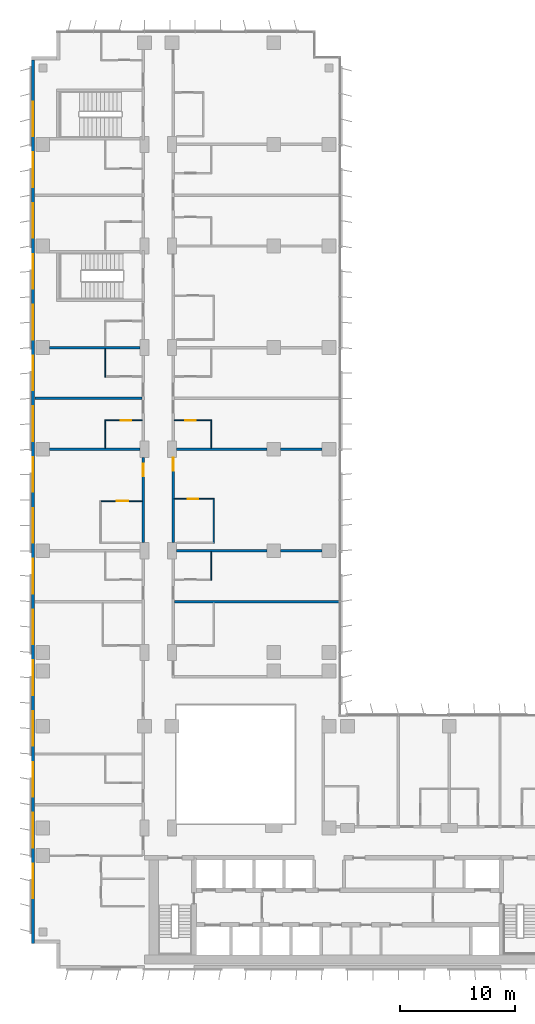
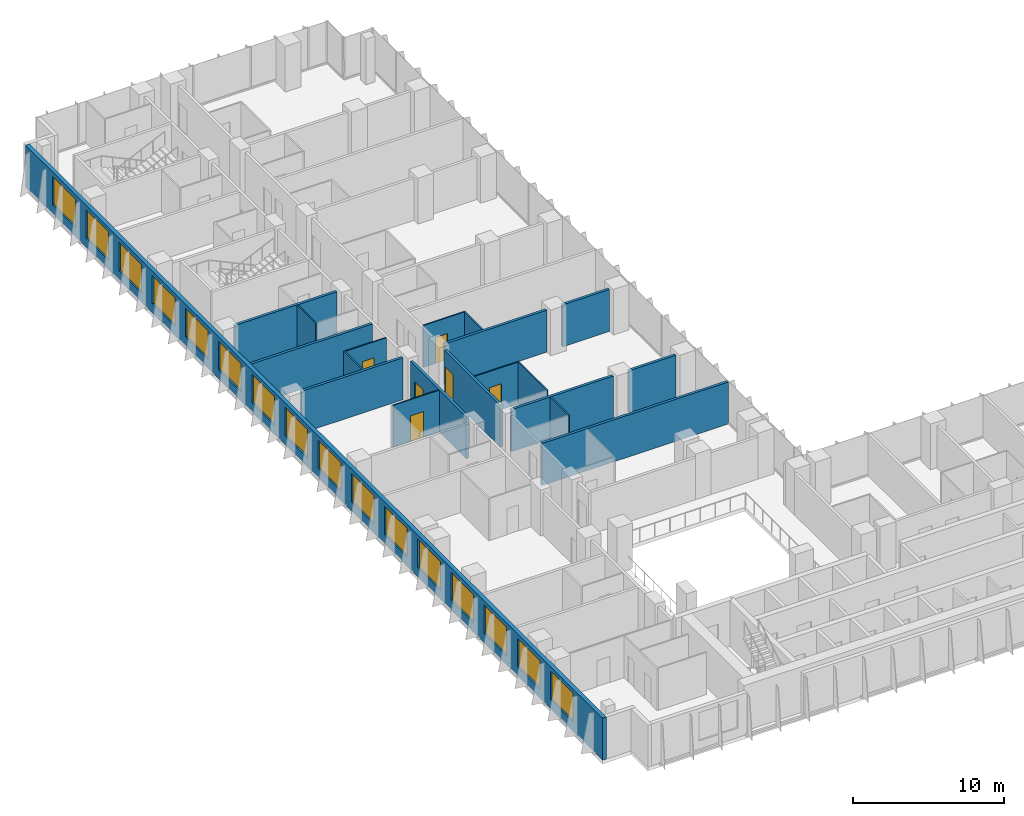
# One storey, part 16 of 23: 20 walls, 16 windows, 6 doors, 22 openings.
"""IFC4 building model written with IfcOpenShell, lengths in metres."""

from ifc_helpers import new_model, si_unit, direction, frame, frame_2d, origin, place, context, subcontext, project, spatial, rectangle, extrude, material, layer, layer_set, type_object, element, fill, save


model = new_model("IFC4")

# Units and contexts
model_context = context("Model", 3, precision=1e-05, world=origin(), true_north=direction((0.0, 1.0)))
body_context = subcontext(model_context, "Body", "Model", "MODEL_VIEW")
ifc_project = project(units=[si_unit("LENGTHUNIT", "METRE"), si_unit("AREAUNIT", "SQUARE_METRE"), si_unit("VOLUMEUNIT", "CUBIC_METRE"), si_unit("PLANEANGLEUNIT", "RADIAN"), si_unit("MASSUNIT", "GRAM", prefix="KILO")], contexts=[model_context])

# Site, building, storey
site_placement = place(None, origin())
site = spatial("IfcSite", under=ifc_project, at=site_placement, CompositionType="ELEMENT")
building_placement = place(site_placement, origin())
building = spatial("IfcBuilding", under=site, at=building_placement, Name="Kemantara Hotel Tower", CompositionType="ELEMENT")
storey_placement = place(building_placement, frame((0.0, 0.0, 118.5)))
storey = spatial("IfcBuildingStorey", under=building, at=storey_placement, Name="L28", CompositionType="ELEMENT", Elevation=118.5)

# Wall, openings, windows
ifc_material_1 = material(Name="Bronze anodised aluminium cladding on insulated steel stud wall", Category="steel")
ifc_layer_1 = layer(ifc_material_1, 0.300048828125)
ifc_layer_set_1 = layer_set([ifc_layer_1], Name="Bronze anodised aluminium cladding on insulated steel stud wall")
wall_type_1 = type_object("IfcWallType", Name="BRONZE METAL-CLAD EXTERNAL WALL 300", PredefinedType="STANDARD", material=ifc_layer_set_1)
wall_1_placement = place(storey_placement, frame((0.14990234375, 78.699951171875, 0.0), z_axis=(0.0, 0.0, 1.0), x_axis=(0.0, -1.0, 0.0)))
wall_1 = element("IfcWall", 1, at=wall_1_placement, inside=storey, type_object=wall_type_1, Name="EXTERNAL WALL L28 T2-R04", PredefinedType="STANDARD", context=body_context, shape_type="SweptSolid", body=[
    extrude(rectangle(XDim=76.5, YDim=0.300048828125, at=frame_2d((38.25, 0.0))), origin(), (0.0, 0.0, 1.0), 3.39990234375),
])
opening_1_placement = place(wall_1_placement, frame((3.60009765625, 0.0, 0.75)))
opening_1 = element("IfcOpeningElement", 2, at=opening_1_placement, cuts=wall_1, Name="Opening W1", PredefinedType="OPENING", context=body_context, shape_type="SweptSolid", body=[
    extrude(rectangle(XDim=3.0, YDim=2.300048828125, at=frame_2d((1.5, 1.14990234375))), frame((0.0, 0.159912109375, 0.0), z_axis=(0.0, -1.0, 0.0), x_axis=(1.0, 0.0, 0.0)), (0.0, 0.0, 1.0), 0.320068359375),
])
opening_2_placement = place(wall_1_placement, frame((8.0, 0.0, 0.75)))
opening_2 = element("IfcOpeningElement", 3, at=opening_2_placement, cuts=wall_1, Name="Opening W1", PredefinedType="OPENING", context=body_context, shape_type="SweptSolid", body=[
    extrude(rectangle(XDim=3.0, YDim=2.300048828125, at=frame_2d((1.5, 1.14990234375))), frame((0.0, 0.159912109375, 0.0), z_axis=(0.0, -1.0, 0.0), x_axis=(1.0, 0.0, 0.0)), (0.0, 0.0, 1.0), 0.320068359375),
])
opening_3_placement = place(wall_1_placement, frame((12.39990234375, 0.0, 0.75)))
opening_3 = element("IfcOpeningElement", 4, at=opening_3_placement, cuts=wall_1, Name="Opening W1", PredefinedType="OPENING", context=body_context, shape_type="SweptSolid", body=[
    extrude(rectangle(XDim=3.0, YDim=2.300048828125, at=frame_2d((1.5, 1.14990234375))), frame((0.0, 0.159912109375, 0.0), z_axis=(0.0, -1.0, 0.0), x_axis=(1.0, 0.0, 0.0)), (0.0, 0.0, 1.0), 0.320068359375),
])
opening_4_placement = place(wall_1_placement, frame((16.800048828125, 0.0, 0.75)))
opening_4 = element("IfcOpeningElement", 5, at=opening_4_placement, cuts=wall_1, Name="Opening W1", PredefinedType="OPENING", context=body_context, shape_type="SweptSolid", body=[
    extrude(rectangle(XDim=3.0, YDim=2.300048828125, at=frame_2d((1.5, 1.14990234375))), frame((0.0, 0.159912109375, 0.0), z_axis=(0.0, -1.0, 0.0), x_axis=(1.0, 0.0, 0.0)), (0.0, 0.0, 1.0), 0.320068359375),
])
opening_5_placement = place(wall_1_placement, frame((21.199951171875, 0.0, 0.75)))
opening_5 = element("IfcOpeningElement", 6, at=opening_5_placement, cuts=wall_1, Name="Opening W1", PredefinedType="OPENING", context=body_context, shape_type="SweptSolid", body=[
    extrude(rectangle(XDim=3.0, YDim=2.300048828125, at=frame_2d((1.5, 1.14990234375))), frame((0.0, 0.159912109375, 0.0), z_axis=(0.0, -1.0, 0.0), x_axis=(1.0, 0.0, 0.0)), (0.0, 0.0, 1.0), 0.320068359375),
])
opening_6_placement = place(wall_1_placement, frame((25.60009765625, 0.0, 0.75)))
opening_6 = element("IfcOpeningElement", 7, at=opening_6_placement, cuts=wall_1, Name="Opening W1", PredefinedType="OPENING", context=body_context, shape_type="SweptSolid", body=[
    extrude(rectangle(XDim=3.0, YDim=2.300048828125, at=frame_2d((1.5, 1.14990234375))), frame((0.0, 0.159912109375, 0.0), z_axis=(0.0, -1.0, 0.0), x_axis=(1.0, 0.0, 0.0)), (0.0, 0.0, 1.0), 0.320068359375),
])
opening_7_placement = place(wall_1_placement, frame((30.0, 0.0, 0.75)))
opening_7 = element("IfcOpeningElement", 8, at=opening_7_placement, cuts=wall_1, Name="Opening W1", PredefinedType="OPENING", context=body_context, shape_type="SweptSolid", body=[
    extrude(rectangle(XDim=3.0, YDim=2.300048828125, at=frame_2d((1.5, 1.14990234375))), frame((0.0, 0.159912109375, 0.0), z_axis=(0.0, -1.0, 0.0), x_axis=(1.0, 0.0, 0.0)), (0.0, 0.0, 1.0), 0.320068359375),
])
opening_8_placement = place(wall_1_placement, frame((34.39990234375, 0.0, 0.75)))
opening_8 = element("IfcOpeningElement", 9, at=opening_8_placement, cuts=wall_1, Name="Opening W1", PredefinedType="OPENING", context=body_context, shape_type="SweptSolid", body=[
    extrude(rectangle(XDim=3.0, YDim=2.300048828125, at=frame_2d((1.5, 1.14990234375))), frame((0.0, 0.159912109375, 0.0), z_axis=(0.0, -1.0, 0.0), x_axis=(1.0, 0.0, 0.0)), (0.0, 0.0, 1.0), 0.320068359375),
])
opening_9_placement = place(wall_1_placement, frame((38.800048828125, 0.0, 0.75)))
opening_9 = element("IfcOpeningElement", 10, at=opening_9_placement, cuts=wall_1, Name="Opening W1", PredefinedType="OPENING", context=body_context, shape_type="SweptSolid", body=[
    extrude(rectangle(XDim=3.0, YDim=2.300048828125, at=frame_2d((1.5, 1.14990234375))), frame((0.0, 0.159912109375, 0.0), z_axis=(0.0, -1.0, 0.0), x_axis=(1.0, 0.0, 0.0)), (0.0, 0.0, 1.0), 0.320068359375),
])
opening_10_placement = place(wall_1_placement, frame((43.199951171875, 0.0, 0.75)))
opening_10 = element("IfcOpeningElement", 11, at=opening_10_placement, cuts=wall_1, Name="Opening W1", PredefinedType="OPENING", context=body_context, shape_type="SweptSolid", body=[
    extrude(rectangle(XDim=3.0, YDim=2.300048828125, at=frame_2d((1.5, 1.14990234375))), frame((0.0, 0.159912109375, 0.0), z_axis=(0.0, -1.0, 0.0), x_axis=(1.0, 0.0, 0.0)), (0.0, 0.0, 1.0), 0.320068359375),
])
opening_11_placement = place(wall_1_placement, frame((47.60009765625, 0.0, 0.75)))
opening_11 = element("IfcOpeningElement", 12, at=opening_11_placement, cuts=wall_1, Name="Opening W1", PredefinedType="OPENING", context=body_context, shape_type="SweptSolid", body=[
    extrude(rectangle(XDim=3.0, YDim=2.300048828125, at=frame_2d((1.5, 1.14990234375))), frame((0.0, 0.159912109375, 0.0), z_axis=(0.0, -1.0, 0.0), x_axis=(1.0, 0.0, 0.0)), (0.0, 0.0, 1.0), 0.320068359375),
])
opening_12_placement = place(wall_1_placement, frame((52.0, 0.0, 0.75)))
opening_12 = element("IfcOpeningElement", 13, at=opening_12_placement, cuts=wall_1, Name="Opening W1", PredefinedType="OPENING", context=body_context, shape_type="SweptSolid", body=[
    extrude(rectangle(XDim=3.0, YDim=2.300048828125, at=frame_2d((1.5, 1.14990234375))), frame((0.0, 0.159912109375, 0.0), z_axis=(0.0, -1.0, 0.0), x_axis=(1.0, 0.0, 0.0)), (0.0, 0.0, 1.0), 0.320068359375),
])
opening_13_placement = place(wall_1_placement, frame((56.39990234375, 0.0, 0.75)))
opening_13 = element("IfcOpeningElement", 14, at=opening_13_placement, cuts=wall_1, Name="Opening W1", PredefinedType="OPENING", context=body_context, shape_type="SweptSolid", body=[
    extrude(rectangle(XDim=3.0, YDim=2.300048828125, at=frame_2d((1.5, 1.14990234375))), frame((0.0, 0.159912109375, 0.0), z_axis=(0.0, -1.0, 0.0), x_axis=(1.0, 0.0, 0.0)), (0.0, 0.0, 1.0), 0.320068359375),
])
opening_14_placement = place(wall_1_placement, frame((60.800048828125, 0.0, 0.75)))
opening_14 = element("IfcOpeningElement", 15, at=opening_14_placement, cuts=wall_1, Name="Opening W1", PredefinedType="OPENING", context=body_context, shape_type="SweptSolid", body=[
    extrude(rectangle(XDim=3.0, YDim=2.300048828125, at=frame_2d((1.5, 1.14990234375))), frame((0.0, 0.159912109375, 0.0), z_axis=(0.0, -1.0, 0.0), x_axis=(1.0, 0.0, 0.0)), (0.0, 0.0, 1.0), 0.320068359375),
])
opening_15_placement = place(wall_1_placement, frame((65.199951171875, 0.0, 0.75)))
opening_15 = element("IfcOpeningElement", 16, at=opening_15_placement, cuts=wall_1, Name="Opening W1", PredefinedType="OPENING", context=body_context, shape_type="SweptSolid", body=[
    extrude(rectangle(XDim=3.0, YDim=2.300048828125, at=frame_2d((1.5, 1.14990234375))), frame((0.0, 0.159912109375, 0.0), z_axis=(0.0, -1.0, 0.0), x_axis=(1.0, 0.0, 0.0)), (0.0, 0.0, 1.0), 0.320068359375),
])
opening_16_placement = place(wall_1_placement, frame((69.60009765625, 0.0, 0.75)))
opening_16 = element("IfcOpeningElement", 17, at=opening_16_placement, cuts=wall_1, Name="Opening W1", PredefinedType="OPENING", context=body_context, shape_type="SweptSolid", body=[
    extrude(rectangle(XDim=3.0, YDim=2.300048828125, at=frame_2d((1.5, 1.14990234375))), frame((0.0, 0.159912109375, 0.0), z_axis=(0.0, -1.0, 0.0), x_axis=(1.0, 0.0, 0.0)), (0.0, 0.0, 1.0), 0.320068359375),
])
ifc_material_2 = material(Name="Low-E tinted double insulated glass in bronze anodised aluminium frame", Category="aluminium")
window_type = type_object("IfcWindowType", Name="CHICAGO WINDOW, TRIPLE PANEL 3000x2300", PartitioningType="TRIPLE_PANEL_VERTICAL", PredefinedType="WINDOW", material=ifc_material_2)
window_1_placement = place(opening_1_placement, origin())
window_1 = element("IfcWindow", 18, at=window_1_placement, inside=storey, type_object=window_type, Name="CHICAGO WINDOW L28 T2-R04-54", OverallHeight=2.300048828125, OverallWidth=3.0, PartitioningType="SINGLE_PANEL", PredefinedType="WINDOW", context=body_context, shape_type="SweptSolid", body=[
    extrude(rectangle(XDim=3.0, YDim=2.300048828125, at=frame_2d((1.5, 1.14990234375))), frame((0.0, 0.030029296875, 0.0), z_axis=(0.0, -1.0, 0.0), x_axis=(1.0, 0.0, 0.0)), (0.0, 0.0, 1.0), 0.06005859375),
])
fill(opening_1, window_1)
window_2_placement = place(opening_2_placement, origin())
window_2 = element("IfcWindow", 19, at=window_2_placement, inside=storey, type_object=window_type, Name="CHICAGO WINDOW L28 T2-R04-98", OverallHeight=2.300048828125, OverallWidth=3.0, PartitioningType="SINGLE_PANEL", PredefinedType="WINDOW", context=body_context, shape_type="SweptSolid", body=[
    extrude(rectangle(XDim=3.0, YDim=2.300048828125, at=frame_2d((1.5, 1.14990234375))), frame((0.0, 0.030029296875, 0.0), z_axis=(0.0, -1.0, 0.0), x_axis=(1.0, 0.0, 0.0)), (0.0, 0.0, 1.0), 0.06005859375),
])
fill(opening_2, window_2)
window_3_placement = place(opening_3_placement, origin())
window_3 = element("IfcWindow", 20, at=window_3_placement, inside=storey, type_object=window_type, Name="CHICAGO WINDOW L28 T2-R04-142", OverallHeight=2.300048828125, OverallWidth=3.0, PartitioningType="SINGLE_PANEL", PredefinedType="WINDOW", context=body_context, shape_type="SweptSolid", body=[
    extrude(rectangle(XDim=3.0, YDim=2.300048828125, at=frame_2d((1.5, 1.14990234375))), frame((0.0, 0.030029296875, 0.0), z_axis=(0.0, -1.0, 0.0), x_axis=(1.0, 0.0, 0.0)), (0.0, 0.0, 1.0), 0.06005859375),
])
fill(opening_3, window_3)
window_4_placement = place(opening_4_placement, origin())
window_4 = element("IfcWindow", 21, at=window_4_placement, inside=storey, type_object=window_type, Name="CHICAGO WINDOW L28 T2-R04-186", OverallHeight=2.300048828125, OverallWidth=3.0, PartitioningType="SINGLE_PANEL", PredefinedType="WINDOW", context=body_context, shape_type="SweptSolid", body=[
    extrude(rectangle(XDim=3.0, YDim=2.300048828125, at=frame_2d((1.5, 1.14990234375))), frame((0.0, 0.030029296875, 0.0), z_axis=(0.0, -1.0, 0.0), x_axis=(1.0, 0.0, 0.0)), (0.0, 0.0, 1.0), 0.06005859375),
])
fill(opening_4, window_4)
window_5_placement = place(opening_5_placement, origin())
window_5 = element("IfcWindow", 22, at=window_5_placement, inside=storey, type_object=window_type, Name="CHICAGO WINDOW L28 T2-R04-230", OverallHeight=2.300048828125, OverallWidth=3.0, PartitioningType="SINGLE_PANEL", PredefinedType="WINDOW", context=body_context, shape_type="SweptSolid", body=[
    extrude(rectangle(XDim=3.0, YDim=2.300048828125, at=frame_2d((1.5, 1.14990234375))), frame((0.0, 0.030029296875, 0.0), z_axis=(0.0, -1.0, 0.0), x_axis=(1.0, 0.0, 0.0)), (0.0, 0.0, 1.0), 0.06005859375),
])
fill(opening_5, window_5)
window_6_placement = place(opening_6_placement, origin())
window_6 = element("IfcWindow", 23, at=window_6_placement, inside=storey, type_object=window_type, Name="CHICAGO WINDOW L28 T2-R04-274", OverallHeight=2.300048828125, OverallWidth=3.0, PartitioningType="SINGLE_PANEL", PredefinedType="WINDOW", context=body_context, shape_type="SweptSolid", body=[
    extrude(rectangle(XDim=3.0, YDim=2.300048828125, at=frame_2d((1.5, 1.14990234375))), frame((0.0, 0.030029296875, 0.0), z_axis=(0.0, -1.0, 0.0), x_axis=(1.0, 0.0, 0.0)), (0.0, 0.0, 1.0), 0.06005859375),
])
fill(opening_6, window_6)
window_7_placement = place(opening_7_placement, origin())
window_7 = element("IfcWindow", 24, at=window_7_placement, inside=storey, type_object=window_type, Name="CHICAGO WINDOW L28 T2-R04-318", OverallHeight=2.300048828125, OverallWidth=3.0, PartitioningType="SINGLE_PANEL", PredefinedType="WINDOW", context=body_context, shape_type="SweptSolid", body=[
    extrude(rectangle(XDim=3.0, YDim=2.300048828125, at=frame_2d((1.5, 1.14990234375))), frame((0.0, 0.030029296875, 0.0), z_axis=(0.0, -1.0, 0.0), x_axis=(1.0, 0.0, 0.0)), (0.0, 0.0, 1.0), 0.06005859375),
])
fill(opening_7, window_7)
window_8_placement = place(opening_8_placement, origin())
window_8 = element("IfcWindow", 25, at=window_8_placement, inside=storey, type_object=window_type, Name="CHICAGO WINDOW L28 T2-R04-362", OverallHeight=2.300048828125, OverallWidth=3.0, PartitioningType="SINGLE_PANEL", PredefinedType="WINDOW", context=body_context, shape_type="SweptSolid", body=[
    extrude(rectangle(XDim=3.0, YDim=2.300048828125, at=frame_2d((1.5, 1.14990234375))), frame((0.0, 0.030029296875, 0.0), z_axis=(0.0, -1.0, 0.0), x_axis=(1.0, 0.0, 0.0)), (0.0, 0.0, 1.0), 0.06005859375),
])
fill(opening_8, window_8)
window_9_placement = place(opening_9_placement, origin())
window_9 = element("IfcWindow", 26, at=window_9_placement, inside=storey, type_object=window_type, Name="CHICAGO WINDOW L28 T2-R04-406", OverallHeight=2.300048828125, OverallWidth=3.0, PartitioningType="SINGLE_PANEL", PredefinedType="WINDOW", context=body_context, shape_type="SweptSolid", body=[
    extrude(rectangle(XDim=3.0, YDim=2.300048828125, at=frame_2d((1.5, 1.14990234375))), frame((0.0, 0.030029296875, 0.0), z_axis=(0.0, -1.0, 0.0), x_axis=(1.0, 0.0, 0.0)), (0.0, 0.0, 1.0), 0.06005859375),
])
fill(opening_9, window_9)
window_10_placement = place(opening_10_placement, origin())
window_10 = element("IfcWindow", 27, at=window_10_placement, inside=storey, type_object=window_type, Name="CHICAGO WINDOW L28 T2-R04-450", OverallHeight=2.300048828125, OverallWidth=3.0, PartitioningType="SINGLE_PANEL", PredefinedType="WINDOW", context=body_context, shape_type="SweptSolid", body=[
    extrude(rectangle(XDim=3.0, YDim=2.300048828125, at=frame_2d((1.5, 1.14990234375))), frame((0.0, 0.030029296875, 0.0), z_axis=(0.0, -1.0, 0.0), x_axis=(1.0, 0.0, 0.0)), (0.0, 0.0, 1.0), 0.06005859375),
])
fill(opening_10, window_10)
window_11_placement = place(opening_11_placement, origin())
window_11 = element("IfcWindow", 28, at=window_11_placement, inside=storey, type_object=window_type, Name="CHICAGO WINDOW L28 T2-R04-494", OverallHeight=2.300048828125, OverallWidth=3.0, PartitioningType="SINGLE_PANEL", PredefinedType="WINDOW", context=body_context, shape_type="SweptSolid", body=[
    extrude(rectangle(XDim=3.0, YDim=2.300048828125, at=frame_2d((1.5, 1.14990234375))), frame((0.0, 0.030029296875, 0.0), z_axis=(0.0, -1.0, 0.0), x_axis=(1.0, 0.0, 0.0)), (0.0, 0.0, 1.0), 0.06005859375),
])
fill(opening_11, window_11)
window_12_placement = place(opening_12_placement, origin())
window_12 = element("IfcWindow", 29, at=window_12_placement, inside=storey, type_object=window_type, Name="CHICAGO WINDOW L28 T2-R04-538", OverallHeight=2.300048828125, OverallWidth=3.0, PartitioningType="SINGLE_PANEL", PredefinedType="WINDOW", context=body_context, shape_type="SweptSolid", body=[
    extrude(rectangle(XDim=3.0, YDim=2.300048828125, at=frame_2d((1.5, 1.14990234375))), frame((0.0, 0.030029296875, 0.0), z_axis=(0.0, -1.0, 0.0), x_axis=(1.0, 0.0, 0.0)), (0.0, 0.0, 1.0), 0.06005859375),
])
fill(opening_12, window_12)
window_13_placement = place(opening_13_placement, origin())
window_13 = element("IfcWindow", 30, at=window_13_placement, inside=storey, type_object=window_type, Name="CHICAGO WINDOW L28 T2-R04-582", OverallHeight=2.300048828125, OverallWidth=3.0, PartitioningType="SINGLE_PANEL", PredefinedType="WINDOW", context=body_context, shape_type="SweptSolid", body=[
    extrude(rectangle(XDim=3.0, YDim=2.300048828125, at=frame_2d((1.5, 1.14990234375))), frame((0.0, 0.030029296875, 0.0), z_axis=(0.0, -1.0, 0.0), x_axis=(1.0, 0.0, 0.0)), (0.0, 0.0, 1.0), 0.06005859375),
])
fill(opening_13, window_13)
window_14_placement = place(opening_14_placement, origin())
window_14 = element("IfcWindow", 31, at=window_14_placement, inside=storey, type_object=window_type, Name="CHICAGO WINDOW L28 T2-R04-626", OverallHeight=2.300048828125, OverallWidth=3.0, PartitioningType="SINGLE_PANEL", PredefinedType="WINDOW", context=body_context, shape_type="SweptSolid", body=[
    extrude(rectangle(XDim=3.0, YDim=2.300048828125, at=frame_2d((1.5, 1.14990234375))), frame((0.0, 0.030029296875, 0.0), z_axis=(0.0, -1.0, 0.0), x_axis=(1.0, 0.0, 0.0)), (0.0, 0.0, 1.0), 0.06005859375),
])
fill(opening_14, window_14)
window_15_placement = place(opening_15_placement, origin())
window_15 = element("IfcWindow", 32, at=window_15_placement, inside=storey, type_object=window_type, Name="CHICAGO WINDOW L28 T2-R04-670", OverallHeight=2.300048828125, OverallWidth=3.0, PartitioningType="SINGLE_PANEL", PredefinedType="WINDOW", context=body_context, shape_type="SweptSolid", body=[
    extrude(rectangle(XDim=3.0, YDim=2.300048828125, at=frame_2d((1.5, 1.14990234375))), frame((0.0, 0.030029296875, 0.0), z_axis=(0.0, -1.0, 0.0), x_axis=(1.0, 0.0, 0.0)), (0.0, 0.0, 1.0), 0.06005859375),
])
fill(opening_15, window_15)
window_16_placement = place(opening_16_placement, origin())
window_16 = element("IfcWindow", 33, at=window_16_placement, inside=storey, type_object=window_type, Name="CHICAGO WINDOW L28 T2-R04-714", OverallHeight=2.300048828125, OverallWidth=3.0, PartitioningType="SINGLE_PANEL", PredefinedType="WINDOW", context=body_context, shape_type="SweptSolid", body=[
    extrude(rectangle(XDim=3.0, YDim=2.300048828125, at=frame_2d((1.5, 1.14990234375))), frame((0.0, 0.030029296875, 0.0), z_axis=(0.0, -1.0, 0.0), x_axis=(1.0, 0.0, 0.0)), (0.0, 0.0, 1.0), 0.06005859375),
])
fill(opening_16, window_16)

# Wall, opening, door
ifc_material_3 = material(Name="Gypsum board partition, steel studs and mineral wool, 200 mm", Category="steel")
ifc_layer_2 = layer(ifc_material_3, 0.199951171875)
ifc_layer_set_2 = layer_set([ifc_layer_2], Name="Gypsum board partition, steel studs and mineral wool, 200 mm")
wall_type_2 = type_object("IfcWallType", Name="CORRIDOR WALL 200", PredefinedType="PARTITIONING", material=ifc_layer_set_2)
wall_2_placement = place(storey_placement, frame((9.699951171875, 36.900146484375, 0.0), z_axis=(0.0, 0.0, 1.0), x_axis=(0.0, 1.0, 0.0)))
wall_2 = element("IfcWall", 34, at=wall_2_placement, inside=storey, type_object=wall_type_2, Name="CORRIDOR WALL 200 022", PredefinedType="PARTITIONING", context=body_context, shape_type="SweptSolid", body=[
    extrude(rectangle(XDim=7.399658203125, YDim=0.199951171875, at=frame_2d((3.69970703125, 0.0))), origin(), (0.0, 0.0, 1.0), 3.39990234375),
])
opening_17_placement = place(wall_2_placement, frame((5.75, 0.0, 0.0)))
opening_17 = element("IfcOpeningElement", 35, at=opening_17_placement, cuts=wall_2, Name="Opening F12-031", PredefinedType="OPENING", context=body_context, shape_type="SweptSolid", body=[
    extrude(rectangle(XDim=1.10009765625, YDim=2.10009765625, at=frame_2d((0.550048828125, 1.050048828125))), frame((0.0, 0.10986328125, 0.0), z_axis=(0.0, -1.0, 0.0), x_axis=(1.0, 0.0, 0.0)), (0.0, 0.0, 1.0), 0.219970703125),
])
ifc_material_4 = material(Name="Hardwood veneer door leaf with steel frame", Category="steel")
door_type_1 = type_object("IfcDoorType", Name="GUEST ROOM DOOR 1100 X 2100 FD30S", OperationType="NOTDEFINED", PredefinedType="DOOR", material=ifc_material_4)
door_1_placement = place(opening_17_placement, origin())
door_1 = element("IfcDoor", 36, at=door_1_placement, inside=storey, type_object=door_type_1, Name="GUEST ROOM DOOR F12-031", OperationType="SINGLE_SWING_RIGHT", OverallHeight=2.10009765625, OverallWidth=1.10009765625, PredefinedType="DOOR", context=body_context, shape_type="SweptSolid", body=[
    extrude(rectangle(XDim=1.10009765625, YDim=2.10009765625, at=frame_2d((0.550048828125, 1.050048828125))), frame((0.0, 0.02490234375, 0.0), z_axis=(0.0, -1.0, 0.0), x_axis=(1.0, 0.0, 0.0)), (0.0, 0.0, 1.0), 0.050048828125),
])
fill(opening_17, door_1)

wall_3_placement = place(storey_placement, frame((12.300048828125, 44.2998046875, 0.0), z_axis=(0.0, 0.0, 1.0), x_axis=(0.0, -1.0, 0.0)))
wall_3 = element("IfcWall", 37, at=wall_3_placement, inside=storey, type_object=wall_type_2, Name="CORRIDOR WALL 200 046", PredefinedType="PARTITIONING", context=body_context, shape_type="SweptSolid", body=[
    extrude(rectangle(XDim=7.399658203125, YDim=0.199951171875, at=frame_2d((3.69970703125, 0.0))), origin(), (0.0, 0.0, 1.0), 3.39990234375),
])
opening_18_placement = place(wall_3_placement, frame((0.0498046875, 0.0, 0.0)))
opening_18 = element("IfcOpeningElement", 38, at=opening_18_placement, cuts=wall_3, Name="Opening F12-049", PredefinedType="OPENING", context=body_context, shape_type="SweptSolid", body=[
    extrude(rectangle(XDim=1.10009765625, YDim=2.10009765625, at=frame_2d((0.550048828125, 1.050048828125))), frame((0.0, 0.10986328125, 0.0), z_axis=(0.0, -1.0, 0.0), x_axis=(1.0, 0.0, 0.0)), (0.0, 0.0, 1.0), 0.219970703125),
])
door_type_2 = type_object("IfcDoorType", Name="SUITE ENTRANCE DOOR 1100 X 2100 FD30S", OperationType="NOTDEFINED", PredefinedType="DOOR", material=ifc_material_4)
door_2_placement = place(opening_18_placement, origin())
door_2 = element("IfcDoor", 39, at=door_2_placement, inside=storey, type_object=door_type_2, Name="SUITE ENTRANCE DOOR F12-049", OperationType="SINGLE_SWING_LEFT", OverallHeight=2.10009765625, OverallWidth=1.10009765625, PredefinedType="DOOR", context=body_context, shape_type="SweptSolid", body=[
    extrude(rectangle(XDim=1.10009765625, YDim=2.10009765625, at=frame_2d((0.550048828125, 1.050048828125))), frame((0.0, 0.02490234375, 0.0), z_axis=(0.0, -1.0, 0.0), x_axis=(1.0, 0.0, 0.0)), (0.0, 0.0, 1.0), 0.050048828125),
])
fill(opening_18, door_2)

# Walls
ifc_layer_3 = layer(ifc_material_3, 0.199951171875)
ifc_layer_set_3 = layer_set([ifc_layer_3], Name="Gypsum board partition, steel studs and mineral wool, 200 mm")
wall_type_3 = type_object("IfcWallType", Name="GUEST ROOM PARTY WALL 200", PredefinedType="PARTITIONING", material=ifc_layer_set_3)
wall_4_placement = place(storey_placement, frame((12.39990234375, 31.800048828125, 0.0), z_axis=(0.0, 0.0, 1.0), x_axis=(1.0, 0.0, 0.0)))
element("IfcWall", 40, at=wall_4_placement, inside=storey, type_object=wall_type_3, Name="GUEST ROOM PARTY WALL 200 030", PredefinedType="PARTITIONING", context=body_context, shape_type="SweptSolid", body=[
    extrude(rectangle(XDim=14.27001953125, YDim=0.199951171875, at=frame_2d((7.135009765625, 0.0))), origin(), (0.0, 0.0, 1.0), 3.39990234375),
])
wall_5_placement = place(storey_placement, frame((12.60009765625, 36.199951171875, 0.0), z_axis=(0.0, 0.0, 1.0), x_axis=(1.0, 0.0, 0.0)))
element("IfcWall", 41, at=wall_5_placement, inside=storey, type_object=wall_type_3, Name="GUEST ROOM PARTY WALL 200 032", PredefinedType="PARTITIONING", context=body_context, shape_type="SweptSolid", body=[
    extrude(rectangle(XDim=7.7998046875, YDim=0.199951171875, at=frame_2d((3.89990234375, 0.0))), origin(), (0.0, 0.0, 1.0), 3.39990234375),
])
wall_6_placement = place(storey_placement, frame((21.60009765625, 36.199951171875, 0.0), z_axis=(0.0, 0.0, 1.0), x_axis=(1.0, 0.0, 0.0)))
element("IfcWall", 42, at=wall_6_placement, inside=storey, type_object=wall_type_3, Name="GUEST ROOM PARTY WALL 200 033", PredefinedType="PARTITIONING", context=body_context, shape_type="SweptSolid", body=[
    extrude(rectangle(XDim=3.599853515625, YDim=0.199951171875, at=frame_2d((1.7998046875, 0.0))), origin(), (0.0, 0.0, 1.0), 3.39990234375),
])
for number, where, z_axis, x_axis, name in (
    (43, (1.60009765625, 45.0, 0.0), (0.0, 0.0, 1.0), (1.0, 0.0, 0.0), "GUEST ROOM PARTY WALL 200 034"),
    (44, (12.60009765625, 45.0, 0.0), (0.0, 0.0, 1.0), (1.0, 0.0, 0.0), "GUEST ROOM PARTY WALL 200 035"),
):
    element("IfcWall", number, at=place(storey_placement, frame(where, z_axis=z_axis, x_axis=x_axis)), inside=storey, type_object=wall_type_3, Name=name, PredefinedType="PARTITIONING", context=body_context, shape_type="SweptSolid", body=[
        extrude(rectangle(XDim=7.7998046875, YDim=0.199951171875, at=frame_2d((3.89990234375, 0.0))), origin(), (0.0, 0.0, 1.0), 3.39990234375),
    ])
wall_7_placement = place(storey_placement, frame((21.60009765625, 45.0, 0.0), z_axis=(0.0, 0.0, 1.0), x_axis=(1.0, 0.0, 0.0)))
element("IfcWall", 45, at=wall_7_placement, inside=storey, type_object=wall_type_3, Name="GUEST ROOM PARTY WALL 200 036", PredefinedType="PARTITIONING", context=body_context, shape_type="SweptSolid", body=[
    extrude(rectangle(XDim=3.599853515625, YDim=0.199951171875, at=frame_2d((1.7998046875, 0.0))), origin(), (0.0, 0.0, 1.0), 3.39990234375),
])
wall_8_placement = place(storey_placement, frame((0.31005859375, 49.39990234375, 0.0), z_axis=(0.0, 0.0, 1.0), x_axis=(1.0, 0.0, 0.0)))
element("IfcWall", 46, at=wall_8_placement, inside=storey, type_object=wall_type_3, Name="GUEST ROOM PARTY WALL 200 037", PredefinedType="PARTITIONING", context=body_context, shape_type="SweptSolid", body=[
    extrude(rectangle(XDim=9.2900390625, YDim=0.199951171875, at=frame_2d((4.64501953125, 0.0))), origin(), (0.0, 0.0, 1.0), 3.39990234375),
])
wall_9_placement = place(storey_placement, frame((1.60009765625, 53.800048828125, 0.0), z_axis=(0.0, 0.0, 1.0), x_axis=(1.0, 0.0, 0.0)))
element("IfcWall", 47, at=wall_9_placement, inside=storey, type_object=wall_type_3, Name="GUEST ROOM PARTY WALL 200 039", PredefinedType="PARTITIONING", context=body_context, shape_type="SweptSolid", body=[
    extrude(rectangle(XDim=7.7998046875, YDim=0.199951171875, at=frame_2d((3.89990234375, 0.0))), origin(), (0.0, 0.0, 1.0), 3.39990234375),
])
ifc_material_5 = material(Name="Gypsum board partition on steel studs, 100 mm", Category="steel")
ifc_layer_4 = layer(ifc_material_5, 0.10009765625)
ifc_layer_set_4 = layer_set([ifc_layer_4], Name="Gypsum board partition on steel studs, 100 mm")
wall_type_4 = type_object("IfcWallType", Name="ROOM PARTITION 100", PredefinedType="PARTITIONING", material=ifc_layer_set_4)
for number, where, z_axis, x_axis, name in (
    (48, (6.39990234375, 45.10009765625, 0.0), (0.0, 0.0, 1.0), (0.0, 1.0, 0.0), "ROOM PARTITION 100 084"),
    (49, (6.39990234375, 51.25, 0.0), (0.0, 0.0, 1.0), (0.0, 1.0, 0.0), "ROOM PARTITION 100 085"),
):
    element("IfcWall", number, at=place(storey_placement, frame(where, z_axis=z_axis, x_axis=x_axis)), inside=storey, type_object=wall_type_4, Name=name, PredefinedType="PARTITIONING", context=body_context, shape_type="SweptSolid", body=[
        extrude(rectangle(XDim=2.449951171875, YDim=0.10009765625, at=frame_2d((1.22509765625, 0.0))), origin(), (0.0, 0.0, 1.0), 3.39990234375),
    ])

# Wall, opening, door
wall_10_placement = place(storey_placement, frame((9.60009765625, 40.5, 0.0), z_axis=(0.0, 0.0, 1.0), x_axis=(-1.0, 0.0, 0.0)))
wall_10 = element("IfcWall", 50, at=wall_10_placement, inside=storey, type_object=wall_type_4, Name="ROOM PARTITION 100 098", PredefinedType="PARTITIONING", context=body_context, shape_type="SweptSolid", body=[
    extrude(rectangle(XDim=3.550048828125, YDim=0.10009765625, at=frame_2d((1.77490234375, 0.0))), origin(), (0.0, 0.0, 1.0), 3.39990234375),
])
opening_19_placement = place(wall_10_placement, frame((1.199951171875, 0.0, 0.0)))
opening_19 = element("IfcOpeningElement", 51, at=opening_19_placement, cuts=wall_10, Name="Opening F12-032", PredefinedType="OPENING", context=body_context, shape_type="SweptSolid", body=[
    extrude(rectangle(XDim=1.0, YDim=2.10009765625, at=frame_2d((0.5, 1.050048828125))), frame((0.0, 0.06005859375, 0.0), z_axis=(0.0, -1.0, 0.0), x_axis=(1.0, 0.0, 0.0)), (0.0, 0.0, 1.0), 0.1201171875),
])
door_type_3 = type_object("IfcDoorType", Name="BATHROOM DOOR 1000 X 2100", OperationType="NOTDEFINED", PredefinedType="DOOR", material=ifc_material_4)
door_3_placement = place(opening_19_placement, origin())
door_3 = element("IfcDoor", 52, at=door_3_placement, inside=storey, type_object=door_type_3, Name="BATHROOM DOOR F12-032", OperationType="SINGLE_SWING_LEFT", OverallHeight=2.10009765625, OverallWidth=1.0, PredefinedType="DOOR", context=body_context, shape_type="SweptSolid", body=[
    extrude(rectangle(XDim=1.0, YDim=2.10009765625, at=frame_2d((0.5, 1.050048828125))), frame((0.0, 0.02490234375, 0.0), z_axis=(0.0, -1.0, 0.0), x_axis=(1.0, 0.0, 0.0)), (0.0, 0.0, 1.0), 0.050048828125),
])
fill(opening_19, door_3)

wall_11_placement = place(storey_placement, frame((9.60009765625, 47.5, 0.0), z_axis=(0.0, 0.0, 1.0), x_axis=(-1.0, 0.0, 0.0)))
wall_11 = element("IfcWall", 53, at=wall_11_placement, inside=storey, type_object=wall_type_4, Name="ROOM PARTITION 100 099", PredefinedType="PARTITIONING", context=body_context, shape_type="SweptSolid", body=[
    extrude(rectangle(XDim=3.150146484375, YDim=0.10009765625, at=frame_2d((1.5751953125, 0.0))), origin(), (0.0, 0.0, 1.0), 3.39990234375),
])
opening_20_placement = place(wall_11_placement, frame((0.949951171875, 0.0, 0.0)))
opening_20 = element("IfcOpeningElement", 54, at=opening_20_placement, cuts=wall_11, Name="Opening F12-034", PredefinedType="OPENING", context=body_context, shape_type="SweptSolid", body=[
    extrude(rectangle(XDim=0.89990234375, YDim=2.10009765625, at=frame_2d((0.449951171875, 1.050048828125))), frame((0.0, 0.06005859375, 0.0), z_axis=(0.0, -1.0, 0.0), x_axis=(1.0, 0.0, 0.0)), (0.0, 0.0, 1.0), 0.1201171875),
])
door_type_4 = type_object("IfcDoorType", Name="BATHROOM DOOR 900 X 2100", OperationType="NOTDEFINED", PredefinedType="DOOR", material=ifc_material_4)
door_4_placement = place(opening_20_placement, origin())
door_4 = element("IfcDoor", 55, at=door_4_placement, inside=storey, type_object=door_type_4, Name="BATHROOM DOOR F12-034", OperationType="SINGLE_SWING_LEFT", OverallHeight=2.10009765625, OverallWidth=0.89990234375, PredefinedType="DOOR", context=body_context, shape_type="SweptSolid", body=[
    extrude(rectangle(XDim=0.89990234375, YDim=2.10009765625, at=frame_2d((0.449951171875, 1.050048828125))), frame((0.0, 0.02490234375, 0.0), z_axis=(0.0, -1.0, 0.0), x_axis=(1.0, 0.0, 0.0)), (0.0, 0.0, 1.0), 0.050048828125),
])
fill(opening_20, door_4)

wall_12_placement = place(storey_placement, frame((15.550048828125, 47.5, 0.0), z_axis=(0.0, 0.0, 1.0), x_axis=(-1.0, 0.0, 0.0)))
wall_12 = element("IfcWall", 56, at=wall_12_placement, inside=storey, type_object=wall_type_4, Name="ROOM PARTITION 100 100", PredefinedType="PARTITIONING", context=body_context, shape_type="SweptSolid", body=[
    extrude(rectangle(XDim=3.150146484375, YDim=0.10009765625, at=frame_2d((1.5751953125, 0.0))), origin(), (0.0, 0.0, 1.0), 3.39990234375),
])
opening_21_placement = place(wall_12_placement, frame((1.300048828125, 0.0, 0.0)))
opening_21 = element("IfcOpeningElement", 57, at=opening_21_placement, cuts=wall_12, Name="Opening F12-052", PredefinedType="OPENING", context=body_context, shape_type="SweptSolid", body=[
    extrude(rectangle(XDim=0.89990234375, YDim=2.10009765625, at=frame_2d((0.449951171875, 1.050048828125))), frame((0.0, 0.06005859375, 0.0), z_axis=(0.0, -1.0, 0.0), x_axis=(1.0, 0.0, 0.0)), (0.0, 0.0, 1.0), 0.1201171875),
])
door_5_placement = place(opening_21_placement, origin())
door_5 = element("IfcDoor", 58, at=door_5_placement, inside=storey, type_object=door_type_4, Name="BATHROOM DOOR F12-052", OperationType="SINGLE_SWING_RIGHT", OverallHeight=2.10009765625, OverallWidth=0.89990234375, PredefinedType="DOOR", context=body_context, shape_type="SweptSolid", body=[
    extrude(rectangle(XDim=0.89990234375, YDim=2.10009765625, at=frame_2d((0.449951171875, 1.050048828125))), frame((0.0, 0.02490234375, 0.0), z_axis=(0.0, -1.0, 0.0), x_axis=(1.0, 0.0, 0.0)), (0.0, 0.0, 1.0), 0.050048828125),
])
fill(opening_21, door_5)

# Walls
wall_13_placement = place(storey_placement, frame((15.800048828125, 36.85009765625, 0.0), z_axis=(0.0, 0.0, 1.0), x_axis=(0.0, 1.0, 0.0)))
element("IfcWall", 59, at=wall_13_placement, inside=storey, type_object=wall_type_4, Name="ROOM PARTITION 100 108", PredefinedType="PARTITIONING", context=body_context, shape_type="SweptSolid", body=[
    extrude(rectangle(XDim=3.89990234375, YDim=0.10009765625, at=frame_2d((1.949951171875, 0.0))), origin(), (0.0, 0.0, 1.0), 3.39990234375),
])
wall_14_placement = place(storey_placement, frame((15.60009765625, 33.64990234375, 0.0), z_axis=(0.0, 0.0, 1.0), x_axis=(0.0, 1.0, 0.0)))
element("IfcWall", 60, at=wall_14_placement, inside=storey, type_object=wall_type_4, Name="ROOM PARTITION 100 110", PredefinedType="PARTITIONING", context=body_context, shape_type="SweptSolid", body=[
    extrude(rectangle(XDim=2.4501953125, YDim=0.10009765625, at=frame_2d((1.22509765625, 0.0))), origin(), (0.0, 0.0, 1.0), 3.39990234375),
])
wall_15_placement = place(storey_placement, frame((15.60009765625, 45.10009765625, 0.0), z_axis=(0.0, 0.0, 1.0), x_axis=(0.0, 1.0, 0.0)))
element("IfcWall", 61, at=wall_15_placement, inside=storey, type_object=wall_type_4, Name="ROOM PARTITION 100 111", PredefinedType="PARTITIONING", context=body_context, shape_type="SweptSolid", body=[
    extrude(rectangle(XDim=2.449951171875, YDim=0.10009765625, at=frame_2d((1.22509765625, 0.0))), origin(), (0.0, 0.0, 1.0), 3.39990234375),
])

# Wall, opening, door
wall_16_placement = place(storey_placement, frame((15.75, 40.699951171875, 0.0), z_axis=(0.0, 0.0, 1.0), x_axis=(-1.0, 0.0, 0.0)))
wall_16 = element("IfcWall", 62, at=wall_16_placement, inside=storey, type_object=wall_type_4, Name="ROOM PARTITION 100 115", PredefinedType="PARTITIONING", context=body_context, shape_type="SweptSolid", body=[
    extrude(rectangle(XDim=3.35009765625, YDim=0.10009765625, at=frame_2d((1.675048828125, 0.0))), origin(), (0.0, 0.0, 1.0), 3.39990234375),
])
opening_22_placement = place(wall_16_placement, frame((1.300048828125, 0.0, 0.0)))
opening_22 = element("IfcOpeningElement", 63, at=opening_22_placement, cuts=wall_16, Name="Opening F12-050", PredefinedType="OPENING", context=body_context, shape_type="SweptSolid", body=[
    extrude(rectangle(XDim=0.89990234375, YDim=2.10009765625, at=frame_2d((0.449951171875, 1.050048828125))), frame((0.0, 0.06005859375, 0.0), z_axis=(0.0, -1.0, 0.0), x_axis=(1.0, 0.0, 0.0)), (0.0, 0.0, 1.0), 0.1201171875),
])
door_6_placement = place(opening_22_placement, origin())
door_6 = element("IfcDoor", 64, at=door_6_placement, inside=storey, type_object=door_type_4, Name="BATHROOM DOOR F12-050", OperationType="SINGLE_SWING_RIGHT", OverallHeight=2.10009765625, OverallWidth=0.89990234375, PredefinedType="DOOR", context=body_context, shape_type="SweptSolid", body=[
    extrude(rectangle(XDim=0.89990234375, YDim=2.10009765625, at=frame_2d((0.449951171875, 1.050048828125))), frame((0.0, 0.02490234375, 0.0), z_axis=(0.0, -1.0, 0.0), x_axis=(1.0, 0.0, 0.0)), (0.0, 0.0, 1.0), 0.050048828125),
])
fill(opening_22, door_6)

save(model, "model.ifc")
